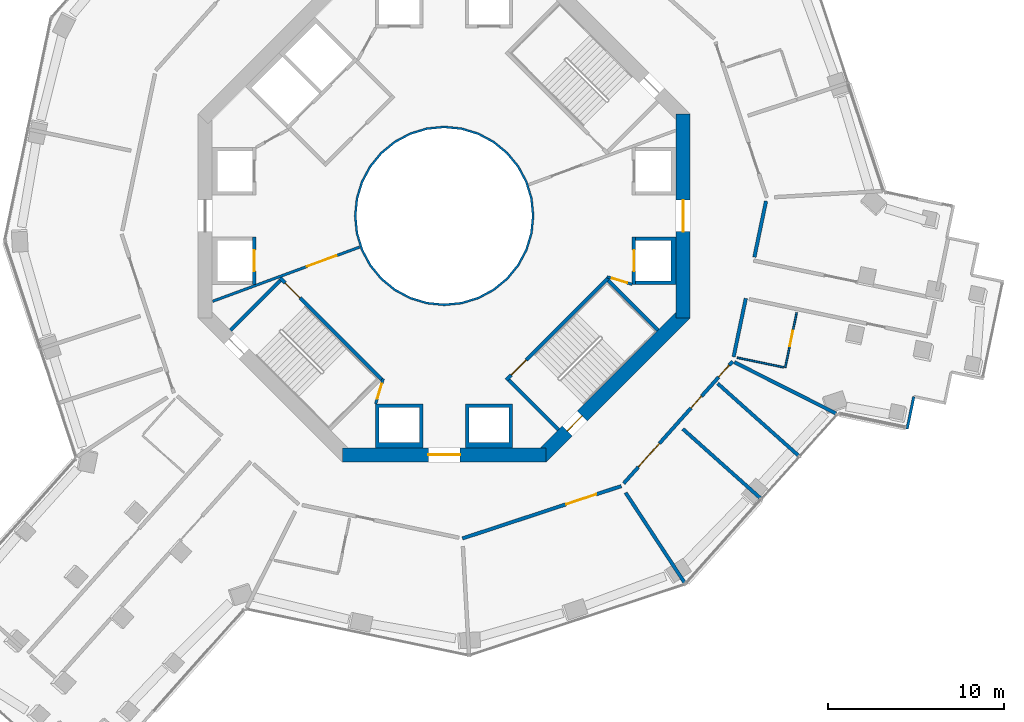
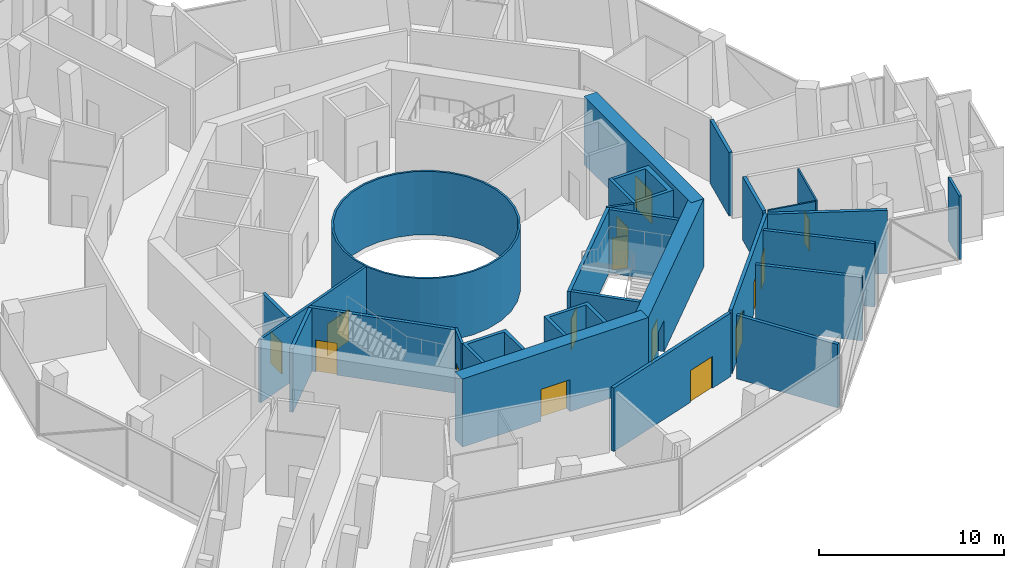
# One storey, part 15 of 21: 28 walls, 15 doors, 15 openings.
"""IFC4 building model written with IfcOpenShell, lengths in metres."""

from ifc_helpers import new_model, si_unit, direction, frame, frame_2d, origin, place, context, subcontext, project, spatial, polyline, rectangle, outline, extrude, material, layer, layer_set, type_object, element, fill, save


model = new_model("IFC4")

# Units and contexts
model_context = context("Model", 3, precision=1e-05, world=origin(), true_north=direction((0.0, 1.0)))
body_context = subcontext(model_context, "Body", "Model", "MODEL_VIEW")
ifc_project = project(units=[si_unit("LENGTHUNIT", "METRE"), si_unit("AREAUNIT", "SQUARE_METRE"), si_unit("VOLUMEUNIT", "CUBIC_METRE"), si_unit("PLANEANGLEUNIT", "RADIAN"), si_unit("MASSUNIT", "GRAM", prefix="KILO")], contexts=[model_context])

# Site, building, storey
site_placement = place(None, origin())
site = spatial("IfcSite", under=ifc_project, at=site_placement, CompositionType="ELEMENT")
building_placement = place(site_placement, origin())
building = spatial("IfcBuilding", under=site, at=building_placement, Name="Verdalira Terraces Hotel", CompositionType="ELEMENT")
storey_placement = place(building_placement, frame((0.0, 0.0, 107.0)))
storey = spatial("IfcBuildingStorey", under=building, at=storey_placement, Name="L25", CompositionType="ELEMENT", Elevation=107.0)

# Walls
ifc_material_1 = material(Name="Fire-resisting glass EI 180", Category="glass")
ifc_layer_1 = layer(ifc_material_1, 0.1201171875)
ifc_layer_set_1 = layer_set([ifc_layer_1], Name="Atrium fire screen 120 mm")
wall_type_1 = type_object("IfcWallType", Name="Atrium fire screen 120 mm", PredefinedType="SOLIDWALL", material=ifc_layer_set_1)
wall_1_placement = place(storey_placement, origin())
element("IfcWall", 1, at=wall_1_placement, inside=storey, type_object=wall_type_1, Name="Atrium fire screen", PredefinedType="SOLIDWALL", context=body_context, shape_type="SweptSolid", body=[
    extrude(outline(polyline([(5.021484, -0.998779), (4.730225, -1.959229), (4.25708, -2.844482), (3.620361, -3.620361), (2.844482, -4.25708), (1.959229, -4.730225), (0.998779, -5.021484), (0.0, -5.120117), (-0.998779, -5.021484), (-1.959229, -4.730225), (-2.844482, -4.25708), (-3.620361, -3.620361), (-4.25708, -2.844482), (-4.730225, -1.959229), (-5.021484, -0.998779), (-5.120117, 0.0), (-5.021484, 0.998779), (-4.730225, 1.959229), (-4.25708, 2.844482), (-3.620361, 3.620361), (-2.844482, 4.25708), (-1.959229, 4.730225), (-0.998779, 5.021484), (0.0, 5.120117), (0.998779, 5.021484), (1.959229, 4.730225), (2.844482, 4.25708), (3.620361, 3.620361), (4.25708, 2.844482), (4.730225, 1.959229), (5.021484, 0.998779), (5.120117, 0.0), (5.021484, -0.998779)]), holes=[polyline([(4.903809, 0.975586), (4.619385, 1.91333), (4.157227, 2.777832), (3.5354, 3.5354), (2.777832, 4.157227), (1.91333, 4.619385), (0.975586, 4.903809), (0.0, 5.0), (-0.975586, 4.903809), (-1.91333, 4.619385), (-2.777832, 4.157227), (-3.5354, 3.5354), (-4.157227, 2.777832), (-4.619385, 1.91333), (-4.903809, 0.975586), (-5.0, 0.0), (-4.903809, -0.975586), (-4.619385, -1.91333), (-4.157227, -2.777832), (-3.5354, -3.5354), (-2.777832, -4.157227), (-1.91333, -4.619385), (-0.975586, -4.903809), (0.0, -5.0), (0.975586, -4.903809), (1.91333, -4.619385), (2.777832, -4.157227), (3.5354, -3.5354), (4.157227, -2.777832), (4.619385, -1.91333), (4.903809, -0.975586), (5.0, 0.0), (4.903809, 0.975586)])]), origin(), (0.0, 0.0, 1.0), 4.189941),
])
ifc_material_2 = material(Name="Moisture-resistant gypsum board partition")
ifc_layer_2 = layer(ifc_material_2, 0.10009765625)
ifc_layer_set_2 = layer_set([ifc_layer_2], Name="Bathroom partition 100 mm")
wall_type_2 = type_object("IfcWallType", Name="Bathroom partition 100 mm", PredefinedType="PARTITIONING", material=ifc_layer_set_2)
wall_2_placement = place(storey_placement, frame((19.307617, -8.615967, 0.0), z_axis=(0.0, 0.0, 1.0), x_axis=(-0.979009748, 0.203813427, 0.0)))
element("IfcWall", 2, at=wall_2_placement, inside=storey, type_object=wall_type_2, Name="Bathroom partition", PredefinedType="PARTITIONING", context=body_context, shape_type="SweptSolid", body=[
    extrude(rectangle(XDim=2.699951, YDim=0.100098, at=frame_2d((1.350098, 0.0))), origin(), (0.0, 0.0, 1.0), 4.189941),
])

# Wall, opening, door
wall_3_placement = place(storey_placement, frame((19.405518, -8.636475, 0.0), z_axis=(0.0, 0.0, 1.0), x_axis=(0.203768415, 0.979019118, 0.0)))
wall_3 = element("IfcWall", 3, at=wall_3_placement, inside=storey, type_object=wall_type_2, Name="Bathroom partition", PredefinedType="PARTITIONING", context=body_context, shape_type="SweptSolid", body=[
    extrude(rectangle(XDim=3.200195, YDim=0.100098, at=frame_2d((1.600098, 0.0))), origin(), (0.0, 0.0, 1.0), 4.189941),
])
opening_1_placement = place(wall_3_placement, frame((1.25, 0.0, 0.0)))
opening_1 = element("IfcOpeningElement", 4, at=opening_1_placement, cuts=wall_3, Name="Opening L25-115", PredefinedType="OPENING", context=body_context, shape_type="SweptSolid", body=[
    extrude(rectangle(XDim=0.899902, YDim=2.100098, at=frame_2d((0.449951, 1.050049))), frame((0.0, 0.060059, 0.0), z_axis=(0.0, -1.0, 0.0), x_axis=(1.0, 0.0, 0.0)), (0.0, 0.0, 1.0), 0.120117),
])
ifc_material_3 = material(Name="Timber door", Category="wood")
door_type_1 = type_object("IfcDoorType", Name="Bathroom door 900 x 2100", OperationType="NOTDEFINED", PredefinedType="DOOR", material=ifc_material_3)
door_1_placement = place(opening_1_placement, origin())
door_1 = element("IfcDoor", 5, at=door_1_placement, inside=storey, type_object=door_type_1, Name="Bathroom door 2510", OperationType="SINGLE_SWING_LEFT", OverallHeight=2.10009765625, OverallWidth=0.89990234375, PredefinedType="DOOR", context=body_context, shape_type="SweptSolid", body=[
    extrude(rectangle(XDim=0.899902, YDim=2.100098, at=frame_2d((0.449951, 1.050049))), frame((0.0, 0.024902, 0.0), z_axis=(0.0, -1.0, 0.0), x_axis=(1.0, 0.0, 0.0)), (0.0, 0.0, 1.0), 0.050049),
])
fill(opening_1, door_1)

# Wall
ifc_material_4 = material(Name="Concrete C50", Category="concrete")
ifc_layer_3 = layer(ifc_material_4, 0.199951171875)
ifc_layer_set_3 = layer_set([ifc_layer_3], Name="Core RC wall 200 C50")
wall_type_3 = type_object("IfcWallType", Name="Core RC wall 200 C50", PredefinedType="SOLIDWALL", material=ifc_layer_set_3)
wall_4_placement = place(storey_placement, origin())
element("IfcWall", 6, at=wall_4_placement, inside=storey, type_object=wall_type_3, Name="L25 shaft wall E1", PredefinedType="SOLIDWALL", context=body_context, shape_type="SweptSolid", body=[
    extrude(outline(polyline([(13.199951, -3.899902), (10.899902, -3.899902), (10.899902, -3.699951), (12.899902, -3.699951), (12.899902, -1.399902), (10.899902, -1.399902), (10.899902, -1.199951), (13.199951, -1.199951), (13.199951, -3.899902)])), origin(), (0.0, 0.0, 1.0), 4.189941),
])

# Wall, opening, door
wall_5_placement = place(storey_placement, frame((10.800049, -1.199951, 0.0), z_axis=(0.0, 0.0, 1.0), x_axis=(0.0, -1.0, 0.0)))
wall_5 = element("IfcWall", 7, at=wall_5_placement, inside=storey, type_object=wall_type_3, Name="L25 shaft front wall E1", PredefinedType="SOLIDWALL", context=body_context, shape_type="SweptSolid", body=[
    extrude(rectangle(XDim=2.699951, YDim=0.199951, at=frame_2d((1.350098, 0.0))), origin(), (0.0, 0.0, 1.0), 4.189941),
])
opening_2_placement = place(wall_5_placement, frame((0.75, 0.0, 0.0)))
opening_2 = element("IfcOpeningElement", 8, at=opening_2_placement, cuts=wall_5, Name="Opening LD-L25-801", PredefinedType="OPENING", context=body_context, shape_type="SweptSolid", body=[
    extrude(rectangle(XDim=1.199951, YDim=2.100098, at=frame_2d((0.600098, 1.050049))), frame((0.0, 0.109863, 0.0), z_axis=(0.0, -1.0, 0.0), x_axis=(1.0, 0.0, 0.0)), (0.0, 0.0, 1.0), 0.219971),
])
ifc_material_5 = material(Name="Stainless steel", Category="steel")
door_type_2 = type_object("IfcDoorType", Name="Landing door 1200 x 2100", OperationType="NOTDEFINED", PredefinedType="DOOR", material=ifc_material_5)
door_2_placement = place(opening_2_placement, origin())
door_2 = element("IfcDoor", 9, at=door_2_placement, inside=storey, type_object=door_type_2, Name="Lift landing door LR1 L25", OperationType="DOUBLE_DOOR_SLIDING", OverallHeight=2.10009765625, OverallWidth=1.199951171875, PredefinedType="DOOR", context=body_context, shape_type="SweptSolid", body=[
    extrude(rectangle(XDim=1.199951, YDim=2.100098, at=frame_2d((0.600098, 1.050049))), frame((0.0, 0.024902, 0.0), z_axis=(0.0, -1.0, 0.0), x_axis=(1.0, 0.0, 0.0)), (0.0, 0.0, 1.0), 0.050049),
])
fill(opening_2, door_2)

wall_6_placement = place(storey_placement, frame((-10.800049, -1.199951, 0.0), z_axis=(0.0, 0.0, 1.0), x_axis=(0.0, -1.0, 0.0)))
wall_6 = element("IfcWall", 10, at=wall_6_placement, inside=storey, type_object=wall_type_3, Name="L25 shaft front wall W2", PredefinedType="SOLIDWALL", context=body_context, shape_type="SweptSolid", body=[
    extrude(rectangle(XDim=2.699951, YDim=0.199951, at=frame_2d((1.350098, 0.0))), origin(), (0.0, 0.0, 1.0), 4.189941),
])
opening_3_placement = place(wall_6_placement, frame((0.75, 0.0, 0.0)))
opening_3 = element("IfcOpeningElement", 11, at=opening_3_placement, cuts=wall_6, Name="Opening LD-L25-806", PredefinedType="OPENING", context=body_context, shape_type="SweptSolid", body=[
    extrude(rectangle(XDim=1.199951, YDim=2.100098, at=frame_2d((0.600098, 1.050049))), frame((0.0, 0.109863, 0.0), z_axis=(0.0, -1.0, 0.0), x_axis=(1.0, 0.0, 0.0)), (0.0, 0.0, 1.0), 0.219971),
])
door_3_placement = place(opening_3_placement, origin())
door_3 = element("IfcDoor", 12, at=door_3_placement, inside=storey, type_object=door_type_2, Name="Lift landing door LR6 L25", OperationType="DOUBLE_DOOR_SLIDING", OverallHeight=2.10009765625, OverallWidth=1.199951171875, PredefinedType="DOOR", context=body_context, shape_type="SweptSolid", body=[
    extrude(rectangle(XDim=1.199951, YDim=2.100098, at=frame_2d((0.600098, 1.050049))), frame((0.0, 0.024902, 0.0), z_axis=(0.0, -1.0, 0.0), x_axis=(1.0, 0.0, 0.0)), (0.0, 0.0, 1.0), 0.050049),
])
fill(opening_3, door_3)

# Walls
wall_7_placement = place(storey_placement, origin())
element("IfcWall", 13, at=wall_7_placement, inside=storey, type_object=wall_type_3, Name="L25 shaft wall S1", PredefinedType="SOLIDWALL", context=body_context, shape_type="SweptSolid", body=[
    extrude(outline(polyline([(-1.199951, -13.199951), (-3.899902, -13.199951), (-3.899902, -10.699951), (-1.199951, -10.699951), (-1.199951, -13.199951)]), holes=[polyline([(-3.699951, -10.899902), (-3.699951, -12.899902), (-1.399902, -12.899902), (-1.399902, -10.899902), (-3.699951, -10.899902)])]), origin(), (0.0, 0.0, 1.0), 4.189941),
])
wall_8_placement = place(storey_placement, origin())
element("IfcWall", 14, at=wall_8_placement, inside=storey, type_object=wall_type_3, Name="L25 shaft wall S2", PredefinedType="SOLIDWALL", context=body_context, shape_type="SweptSolid", body=[
    extrude(outline(polyline([(3.899902, -10.699951), (3.899902, -13.199951), (1.199951, -13.199951), (1.199951, -10.699951), (3.899902, -10.699951)]), holes=[polyline([(1.399902, -12.899902), (3.699951, -12.899902), (3.699951, -10.899902), (1.399902, -10.899902), (1.399902, -12.899902)])]), origin(), (0.0, 0.0, 1.0), 4.189941),
])

# Wall, opening, door
wall_9_placement = place(storey_placement, frame((-3.5354, -9.33374, 0.0), z_axis=(0.0, 0.0, 1.0), x_axis=(-0.707106781, 0.707106781, 0.0)))
wall_9 = element("IfcWall", 15, at=wall_9_placement, inside=storey, type_object=wall_type_3, Name="L25 stair ST2 front wall", PredefinedType="SOLIDWALL", context=body_context, shape_type="SweptSolid", body=[
    extrude(rectangle(XDim=8.200195, YDim=0.199951, at=frame_2d((4.100098, 0.0))), origin(), (0.0, 0.0, 1.0), 4.189941),
])
opening_4_placement = place(wall_9_placement, frame((6.600098, 0.0, 0.0)))
opening_4 = element("IfcOpeningElement", 16, at=opening_4_placement, cuts=wall_9, Name="Opening L25-810", PredefinedType="OPENING", context=body_context, shape_type="SweptSolid", body=[
    extrude(rectangle(XDim=1.199951, YDim=2.100098, at=frame_2d((0.600098, 1.050049))), frame((0.0, 0.109863, 0.0), z_axis=(0.0, -1.0, 0.0), x_axis=(1.0, 0.0, 0.0)), (0.0, 0.0, 1.0), 0.219971),
])
ifc_material_6 = material(Name="Steel fire door", Category="steel")
door_type_3 = type_object("IfcDoorType", Name="Stair door 1200 x 2100", OperationType="NOTDEFINED", PredefinedType="DOOR", material=ifc_material_6)
door_4_placement = place(opening_4_placement, origin())
door_4 = element("IfcDoor", 17, at=door_4_placement, inside=storey, type_object=door_type_3, Name="Stair door ST2 L25", OperationType="SINGLE_SWING_RIGHT", OverallHeight=2.10009765625, OverallWidth=1.199951171875, PredefinedType="DOOR", context=body_context, shape_type="SweptSolid", body=[
    extrude(rectangle(XDim=1.199951, YDim=2.100098, at=frame_2d((0.600098, 1.050049))), frame((0.0, 0.024902, 0.0), z_axis=(0.0, -1.0, 0.0), x_axis=(1.0, 0.0, 0.0)), (0.0, 0.0, 1.0), 0.050049),
])
fill(opening_4, door_4)

# Wall
wall_10_placement = place(storey_placement, frame((-9.33374, -3.677002, 0.0), z_axis=(0.0, 0.0, 1.0), x_axis=(-0.707106781, -0.707106781, 0.0)))
element("IfcWall", 18, at=wall_10_placement, inside=storey, type_object=wall_type_3, Name="L25 stair ST2 end wall 1", PredefinedType="SOLIDWALL", context=body_context, shape_type="SweptSolid", body=[
    extrude(rectangle(XDim=4.0, YDim=0.199951, at=frame_2d((2.0, 0.0))), origin(), (0.0, 0.0, 1.0), 4.189941),
])

# Wall, opening, door
wall_11_placement = place(storey_placement, frame((9.33374, -3.5354, 0.0), z_axis=(0.0, 0.0, 1.0), x_axis=(-0.707106781, -0.707106781, 0.0)))
wall_11 = element("IfcWall", 19, at=wall_11_placement, inside=storey, type_object=wall_type_3, Name="L25 stair ST3 front wall", PredefinedType="SOLIDWALL", context=body_context, shape_type="SweptSolid", body=[
    extrude(rectangle(XDim=8.200195, YDim=0.199951, at=frame_2d((4.100098, 0.0))), origin(), (0.0, 0.0, 1.0), 4.189941),
])
opening_5_placement = place(wall_11_placement, frame((6.600098, 0.0, 0.0)))
opening_5 = element("IfcOpeningElement", 20, at=opening_5_placement, cuts=wall_11, Name="Opening L25-811", PredefinedType="OPENING", context=body_context, shape_type="SweptSolid", body=[
    extrude(rectangle(XDim=1.199951, YDim=2.100098, at=frame_2d((0.600098, 1.050049))), frame((0.0, 0.109863, 0.0), z_axis=(0.0, -1.0, 0.0), x_axis=(1.0, 0.0, 0.0)), (0.0, 0.0, 1.0), 0.219971),
])
door_5_placement = place(opening_5_placement, origin())
door_5 = element("IfcDoor", 21, at=door_5_placement, inside=storey, type_object=door_type_3, Name="Stair door ST3 L25", OperationType="SINGLE_SWING_RIGHT", OverallHeight=2.10009765625, OverallWidth=1.199951171875, PredefinedType="DOOR", context=body_context, shape_type="SweptSolid", body=[
    extrude(rectangle(XDim=1.199951, YDim=2.100098, at=frame_2d((0.600098, 1.050049))), frame((0.0, 0.024902, 0.0), z_axis=(0.0, -1.0, 0.0), x_axis=(1.0, 0.0, 0.0)), (0.0, 0.0, 1.0), 0.050049),
])
fill(opening_5, door_5)

# Walls
for number, where, z_axis, x_axis, name in (
    (22, (3.677002, -9.33374, 0.0), (0.0, 0.0, 1.0), (0.707106781, -0.707106781, 0.0), "L25 stair ST3 end wall 1"),
    (23, (9.33374, -3.677002, 0.0), (0.0, 0.0, 1.0), (0.707106781, -0.707106781, 0.0), "L25 stair ST3 end wall 2"),
):
    element("IfcWall", number, at=place(storey_placement, frame(where, z_axis=z_axis, x_axis=x_axis)), inside=storey, type_object=wall_type_3, Name=name, PredefinedType="SOLIDWALL", context=body_context, shape_type="SweptSolid", body=[
        extrude(rectangle(XDim=4.0, YDim=0.199951, at=frame_2d((2.0, 0.0))), origin(), (0.0, 0.0, 1.0), 4.189941),
    ])

# Wall, opening, door
ifc_material_7 = material(Name="Gypsum board partition")
ifc_layer_4 = layer(ifc_material_7, 0.14990234375)
ifc_layer_set_4 = layer_set([ifc_layer_4], Name="Core partition 150 mm")
wall_type_4 = type_object("IfcWallType", Name="Core partition 150 mm", PredefinedType="PARTITIONING", material=ifc_layer_set_4)
wall_12_placement = place(storey_placement, frame((-3.464844, -9.263184, 0.0), z_axis=(0.0, 0.0, 1.0), x_axis=(-0.289808785, -0.957084567, 0.0)))
wall_12 = element("IfcWall", 24, at=wall_12_placement, inside=storey, type_object=wall_type_4, Name="Room partition L25", PredefinedType="PARTITIONING", context=body_context, shape_type="SweptSolid", body=[
    extrude(rectangle(XDim=1.501221, YDim=0.149902, at=frame_2d((0.750488, 0.0))), origin(), (0.0, 0.0, 1.0), 4.189941),
])
opening_6_placement = place(wall_12_placement, frame((0.300781, 0.0, 0.0)))
opening_6 = element("IfcOpeningElement", 25, at=opening_6_placement, cuts=wall_12, Name="Opening L25-822", PredefinedType="OPENING", context=body_context, shape_type="SweptSolid", body=[
    extrude(rectangle(XDim=0.899902, YDim=2.100098, at=frame_2d((0.449951, 1.050049))), frame((0.0, 0.084961, 0.0), z_axis=(0.0, -1.0, 0.0), x_axis=(1.0, 0.0, 0.0)), (0.0, 0.0, 1.0), 0.169922),
])
ifc_material_8 = material(Name="Steel fire door", Category="steel")
door_type_4 = type_object("IfcDoorType", Name="Core room door 900 x 2100", OperationType="NOTDEFINED", PredefinedType="DOOR", material=ifc_material_8)
door_6_placement = place(opening_6_placement, origin())
door_6 = element("IfcDoor", 26, at=door_6_placement, inside=storey, type_object=door_type_4, Name="Door L25 room5", OperationType="SINGLE_SWING_LEFT", OverallHeight=2.10009765625, OverallWidth=0.89990234375, PredefinedType="DOOR", context=body_context, shape_type="SweptSolid", body=[
    extrude(rectangle(XDim=0.899902, YDim=2.100098, at=frame_2d((0.449951, 1.050049))), frame((0.0, 0.024902, 0.0), z_axis=(0.0, -1.0, 0.0), x_axis=(1.0, 0.0, 0.0)), (0.0, 0.0, 1.0), 0.050049),
])
fill(opening_6, door_6)

wall_13_placement = place(storey_placement, frame((9.263184, -3.464844, 0.0), z_axis=(0.0, 0.0, 1.0), x_axis=(0.957084567, -0.289808785, 0.0)))
wall_13 = element("IfcWall", 27, at=wall_13_placement, inside=storey, type_object=wall_type_4, Name="Room partition L25", PredefinedType="PARTITIONING", context=body_context, shape_type="SweptSolid", body=[
    extrude(rectangle(XDim=1.501221, YDim=0.149902, at=frame_2d((0.750488, 0.0))), origin(), (0.0, 0.0, 1.0), 4.189941),
])
opening_7_placement = place(wall_13_placement, frame((0.300781, 0.0, 0.0)))
opening_7 = element("IfcOpeningElement", 28, at=opening_7_placement, cuts=wall_13, Name="Opening L25-823", PredefinedType="OPENING", context=body_context, shape_type="SweptSolid", body=[
    extrude(rectangle(XDim=0.899902, YDim=2.100098, at=frame_2d((0.449951, 1.050049))), frame((0.0, 0.084961, 0.0), z_axis=(0.0, -1.0, 0.0), x_axis=(1.0, 0.0, 0.0)), (0.0, 0.0, 1.0), 0.169922),
])
door_7_placement = place(opening_7_placement, origin())
door_7 = element("IfcDoor", 29, at=door_7_placement, inside=storey, type_object=door_type_4, Name="Door L25 room7", OperationType="SINGLE_SWING_LEFT", OverallHeight=2.10009765625, OverallWidth=0.89990234375, PredefinedType="DOOR", context=body_context, shape_type="SweptSolid", body=[
    extrude(rectangle(XDim=0.899902, YDim=2.100098, at=frame_2d((0.449951, 1.050049))), frame((0.0, 0.024902, 0.0), z_axis=(0.0, -1.0, 0.0), x_axis=(1.0, 0.0, 0.0)), (0.0, 0.0, 1.0), 0.050049),
])
fill(opening_7, door_7)

wall_14_placement = place(storey_placement, frame((-4.812988, -1.775635, 0.0), z_axis=(0.0, 0.0, 1.0), x_axis=(-0.938191915, -0.346115488, 0.0)))
wall_14 = element("IfcWall", 30, at=wall_14_placement, inside=storey, type_object=wall_type_4, Name="Gallery fire partition L25", PredefinedType="PARTITIONING", context=body_context, shape_type="SweptSolid", body=[
    extrude(rectangle(XDim=8.909668, YDim=0.149902, at=frame_2d((4.454834, 0.0))), origin(), (0.0, 0.0, 1.0), 4.189941),
])
opening_8_placement = place(wall_14_placement, frame((1.399902, 0.0, 0.0)))
opening_8 = element("IfcOpeningElement", 31, at=opening_8_placement, cuts=wall_14, Name="Opening L25-825", PredefinedType="OPENING", context=body_context, shape_type="SweptSolid", body=[
    extrude(rectangle(XDim=1.800049, YDim=2.100098, at=frame_2d((0.899902, 1.050049))), frame((0.0, 0.084961, 0.0), z_axis=(0.0, -1.0, 0.0), x_axis=(1.0, 0.0, 0.0)), (0.0, 0.0, 1.0), 0.169922),
])
ifc_material_9 = material(Name="Steel fire door", Category="steel")
door_type_5 = type_object("IfcDoorType", Name="Gallery fire door pair 1800 x 2100", OperationType="NOTDEFINED", PredefinedType="DOOR", material=ifc_material_9)
door_8_placement = place(opening_8_placement, origin())
door_8 = element("IfcDoor", 32, at=door_8_placement, inside=storey, type_object=door_type_5, Name="Door L25 split4", OperationType="DOUBLE_DOOR_SINGLE_SWING", OverallHeight=2.10009765625, OverallWidth=1.800048828125, PredefinedType="DOOR", context=body_context, shape_type="SweptSolid", body=[
    extrude(rectangle(XDim=1.800049, YDim=2.100098, at=frame_2d((0.899902, 1.050049))), frame((0.0, 0.024902, 0.0), z_axis=(0.0, -1.0, 0.0), x_axis=(1.0, 0.0, 0.0)), (0.0, 0.0, 1.0), 0.050049),
])
fill(opening_8, door_8)

ifc_material_10 = material(Name="Concrete C70", Category="concrete")
ifc_layer_5 = layer(ifc_material_10, 0.800048828125)
ifc_layer_set_5 = layer_set([ifc_layer_5], Name="Core wall 800 C70")
wall_type_5 = type_object("IfcWallType", Name="Core wall 800 C70", PredefinedType="SHEAR", material=ifc_layer_set_5)
wall_15_placement = place(storey_placement, frame((13.600098, -5.799072, 0.0), z_axis=(0.0, 0.0, 1.0), x_axis=(0.0, 1.0, 0.0)))
wall_15 = element("IfcWall", 33, at=wall_15_placement, inside=storey, type_object=wall_type_5, Name="Core wall CW-L25-1", PredefinedType="SHEAR", context=body_context, shape_type="SweptSolid", body=[
    extrude(rectangle(XDim=11.598145, YDim=0.800049, at=frame_2d((5.799072, 0.0))), origin(), (0.0, 0.0, 1.0), 4.5),
])
opening_9_placement = place(wall_15_placement, frame((4.898926, 0.0, 0.0)))
opening_9 = element("IfcOpeningElement", 34, at=opening_9_placement, cuts=wall_15, Name="Opening L25-812", PredefinedType="OPENING", context=body_context, shape_type="SweptSolid", body=[
    extrude(rectangle(XDim=1.800049, YDim=2.100098, at=frame_2d((0.899902, 1.050049))), frame((0.0, 0.409912, 0.0), z_axis=(0.0, -1.0, 0.0), x_axis=(1.0, 0.0, 0.0)), (0.0, 0.0, 1.0), 0.820068),
])
ifc_material_11 = material(Name="Steel fire door", Category="steel")
door_type_6 = type_object("IfcDoorType", Name="Core entry door pair 1800 x 2100", OperationType="NOTDEFINED", PredefinedType="DOOR", material=ifc_material_11)
door_9_placement = place(opening_9_placement, origin())
door_9 = element("IfcDoor", 35, at=door_9_placement, inside=storey, type_object=door_type_6, Name="Core entry door L25 0", OperationType="DOUBLE_DOOR_SINGLE_SWING", OverallHeight=2.10009765625, OverallWidth=1.800048828125, PredefinedType="DOOR", context=body_context, shape_type="SweptSolid", body=[
    extrude(rectangle(XDim=1.800049, YDim=2.100098, at=frame_2d((0.899902, 1.050049))), frame((0.0, 0.024902, 0.0), z_axis=(0.0, -1.0, 0.0), x_axis=(1.0, 0.0, 0.0)), (0.0, 0.0, 1.0), 0.050049),
])
fill(opening_9, door_9)

wall_16_placement = place(storey_placement, frame((-5.799072, -13.600098, 0.0), z_axis=(0.0, 0.0, 1.0), x_axis=(1.0, 0.0, 0.0)))
wall_16 = element("IfcWall", 36, at=wall_16_placement, inside=storey, type_object=wall_type_5, Name="Core wall CW-L25-7", PredefinedType="SHEAR", context=body_context, shape_type="SweptSolid", body=[
    extrude(rectangle(XDim=11.598145, YDim=0.800049, at=frame_2d((5.799072, 0.0))), origin(), (0.0, 0.0, 1.0), 4.5),
])
opening_10_placement = place(wall_16_placement, frame((4.898926, 0.0, 0.0)))
opening_10 = element("IfcOpeningElement", 37, at=opening_10_placement, cuts=wall_16, Name="Opening L25-815", PredefinedType="OPENING", context=body_context, shape_type="SweptSolid", body=[
    extrude(rectangle(XDim=1.800049, YDim=2.100098, at=frame_2d((0.899902, 1.050049))), frame((0.0, 0.409912, 0.0), z_axis=(0.0, -1.0, 0.0), x_axis=(1.0, 0.0, 0.0)), (0.0, 0.0, 1.0), 0.820068),
])
door_10_placement = place(opening_10_placement, origin())
door_10 = element("IfcDoor", 38, at=door_10_placement, inside=storey, type_object=door_type_6, Name="Core entry door L25 6", OperationType="DOUBLE_DOOR_SINGLE_SWING", OverallHeight=2.10009765625, OverallWidth=1.800048828125, PredefinedType="DOOR", context=body_context, shape_type="SweptSolid", body=[
    extrude(rectangle(XDim=1.800049, YDim=2.100098, at=frame_2d((0.899902, 1.050049))), frame((0.0, 0.024902, 0.0), z_axis=(0.0, -1.0, 0.0), x_axis=(1.0, 0.0, 0.0)), (0.0, 0.0, 1.0), 0.050049),
])
fill(opening_10, door_10)

wall_17_placement = place(storey_placement, frame((5.516113, -13.717285, 0.0), z_axis=(0.0, 0.0, 1.0), x_axis=(0.707106781, 0.707106781, 0.0)))
wall_17 = element("IfcWall", 39, at=wall_17_placement, inside=storey, type_object=wall_type_5, Name="Core wall CW-L25-8", PredefinedType="SHEAR", context=body_context, shape_type="SweptSolid", body=[
    extrude(rectangle(XDim=11.598145, YDim=0.800049, at=frame_2d((5.799072, 0.0))), origin(), (0.0, 0.0, 1.0), 4.5),
])
opening_11_placement = place(wall_17_placement, frame((2.099121, 0.0, 0.0)))
opening_11 = element("IfcOpeningElement", 40, at=opening_11_placement, cuts=wall_17, Name="Opening L25-818", PredefinedType="OPENING", context=body_context, shape_type="SweptSolid", body=[
    extrude(rectangle(XDim=1.199951, YDim=2.100098, at=frame_2d((0.600098, 1.050049))), frame((0.0, 0.409912, 0.0), z_axis=(0.0, -1.0, 0.0), x_axis=(1.0, 0.0, 0.0)), (0.0, 0.0, 1.0), 0.820068),
])
door_11_placement = place(opening_11_placement, origin())
door_11 = element("IfcDoor", 41, at=door_11_placement, inside=storey, type_object=door_type_3, Name="Stair exit door ST3 L25", OperationType="SINGLE_SWING_LEFT", OverallHeight=2.10009765625, OverallWidth=1.199951171875, PredefinedType="DOOR", context=body_context, shape_type="SweptSolid", body=[
    extrude(rectangle(XDim=1.199951, YDim=2.100098, at=frame_2d((0.600098, 1.050049))), frame((0.0, 0.024902, 0.0), z_axis=(0.0, -1.0, 0.0), x_axis=(1.0, 0.0, 0.0)), (0.0, 0.0, 1.0), 0.050049),
])
fill(opening_11, door_11)

# Wall
ifc_material_12 = material(Name="Fire-rated gypsum board wall")
ifc_layer_6 = layer(ifc_material_12, 0.199951171875)
ifc_layer_set_6 = layer_set([ifc_layer_6], Name="Demising wall 200 mm")
wall_type_6 = type_object("IfcWallType", Name="Demising wall 200 mm", PredefinedType="SOLIDWALL", material=ifc_layer_set_6)
wall_18_placement = place(storey_placement, frame((10.322754, -15.750732, 0.0), z_axis=(0.0, 0.0, 1.0), x_axis=(0.54815977, -0.836373641, 0.0)))
element("IfcWall", 42, at=wall_18_placement, inside=storey, type_object=wall_type_6, Name="Demising wall", PredefinedType="SOLIDWALL", context=body_context, shape_type="SweptSolid", body=[
    extrude(rectangle(XDim=6.13208, YDim=0.199951, at=frame_2d((3.065918, 0.0))), origin(), (0.0, 0.0, 1.0), 4.189941),
])

# Wall, opening, door
ifc_material_13 = material(Name="Fire-rated gypsum board wall")
ifc_layer_7 = layer(ifc_material_13, 0.199951171875)
ifc_layer_set_7 = layer_set([ifc_layer_7], Name="Guest corridor wall 200 mm")
wall_type_7 = type_object("IfcWallType", Name="Guest corridor wall 200 mm", PredefinedType="SOLIDWALL", material=ifc_layer_set_7)
wall_19_placement = place(storey_placement, frame((10.077393, -15.376709, 0.0), z_axis=(0.0, 0.0, 1.0), x_axis=(-0.949750196, -0.313008891, 0.0)))
wall_19 = element("IfcWall", 43, at=wall_19_placement, inside=storey, type_object=wall_type_7, Name="Guest corridor wall", PredefinedType="SOLIDWALL", context=body_context, shape_type="SweptSolid", body=[
    extrude(rectangle(XDim=9.516602, YDim=0.199951, at=frame_2d((4.758301, 0.0))), origin(), (0.0, 0.0, 1.0), 4.189941),
])
opening_12_placement = place(wall_19_placement, frame((1.5, 0.0, 0.0)))
opening_12 = element("IfcOpeningElement", 44, at=opening_12_placement, cuts=wall_19, Name="Opening L25-112", PredefinedType="OPENING", context=body_context, shape_type="SweptSolid", body=[
    extrude(rectangle(XDim=1.800049, YDim=2.100098, at=frame_2d((0.899902, 1.050049))), frame((0.0, 0.109863, 0.0), z_axis=(0.0, -1.0, 0.0), x_axis=(1.0, 0.0, 0.0)), (0.0, 0.0, 1.0), 0.219971),
])
ifc_material_14 = material(Name="Timber fire door", Category="wood")
door_type_7 = type_object("IfcDoorType", Name="Public room double door 1800 x 2100", OperationType="NOTDEFINED", PredefinedType="DOOR", material=ifc_material_14)
door_12_placement = place(opening_12_placement, origin())
door_12 = element("IfcDoor", 45, at=door_12_placement, inside=storey, type_object=door_type_7, Name="Public room double door 2508", OperationType="DOUBLE_DOOR_SINGLE_SWING", OverallHeight=2.10009765625, OverallWidth=1.800048828125, PredefinedType="DOOR", context=body_context, shape_type="SweptSolid", body=[
    extrude(rectangle(XDim=1.800049, YDim=2.100098, at=frame_2d((0.899902, 1.050049))), frame((0.0, 0.024902, 0.0), z_axis=(0.0, -1.0, 0.0), x_axis=(1.0, 0.0, 0.0)), (0.0, 0.0, 1.0), 0.050049),
])
fill(opening_12, door_12)

# Wall, openings, doors
wall_20_placement = place(storey_placement, frame((16.415771, -8.277832, 0.0), z_axis=(0.0, 0.0, 1.0), x_axis=(-0.666014728, -0.745938592, 0.0)))
wall_20 = element("IfcWall", 46, at=wall_20_placement, inside=storey, type_object=wall_type_7, Name="Guest corridor wall", PredefinedType="SOLIDWALL", context=body_context, shape_type="SweptSolid", body=[
    extrude(rectangle(XDim=9.31665, YDim=0.199951, at=frame_2d((4.658203, 0.0))), origin(), (0.0, 0.0, 1.0), 4.189941),
])
opening_13_placement = place(wall_20_placement, frame((6.258301, 0.0, 0.0)))
opening_13 = element("IfcOpeningElement", 47, at=opening_13_placement, cuts=wall_20, Name="Opening L25-113", PredefinedType="OPENING", context=body_context, shape_type="SweptSolid", body=[
    extrude(rectangle(XDim=1.800049, YDim=2.100098, at=frame_2d((0.899902, 1.050049))), frame((0.0, 0.109863, 0.0), z_axis=(0.0, -1.0, 0.0), x_axis=(1.0, 0.0, 0.0)), (0.0, 0.0, 1.0), 0.219971),
])
opening_14_placement = place(wall_20_placement, frame((2.658203, 0.0, 0.0)))
opening_14 = element("IfcOpeningElement", 48, at=opening_14_placement, cuts=wall_20, Name="Opening L25-123", PredefinedType="OPENING", context=body_context, shape_type="SweptSolid", body=[
    extrude(rectangle(XDim=0.899902, YDim=2.100098, at=frame_2d((0.449951, 1.050049))), frame((0.0, 0.109863, 0.0), z_axis=(0.0, -1.0, 0.0), x_axis=(1.0, 0.0, 0.0)), (0.0, 0.0, 1.0), 0.219971),
])
opening_15_placement = place(wall_20_placement, frame((0.300049, 0.0, 0.0)))
opening_15 = element("IfcOpeningElement", 49, at=opening_15_placement, cuts=wall_20, Name="Opening L25-124", PredefinedType="OPENING", context=body_context, shape_type="SweptSolid", body=[
    extrude(rectangle(XDim=0.899902, YDim=2.100098, at=frame_2d((0.449951, 1.050049))), frame((0.0, 0.109863, 0.0), z_axis=(0.0, -1.0, 0.0), x_axis=(1.0, 0.0, 0.0)), (0.0, 0.0, 1.0), 0.219971),
])
door_13_placement = place(opening_13_placement, origin())
door_13 = element("IfcDoor", 50, at=door_13_placement, inside=storey, type_object=door_type_7, Name="Public room double door 2509", OperationType="DOUBLE_DOOR_SINGLE_SWING", OverallHeight=2.10009765625, OverallWidth=1.800048828125, PredefinedType="DOOR", context=body_context, shape_type="SweptSolid", body=[
    extrude(rectangle(XDim=1.800049, YDim=2.100098, at=frame_2d((0.899902, 1.050049))), frame((0.0, 0.024902, 0.0), z_axis=(0.0, -1.0, 0.0), x_axis=(1.0, 0.0, 0.0)), (0.0, 0.0, 1.0), 0.050049),
])
fill(opening_13, door_13)
ifc_material_15 = material(Name="Timber fire door", Category="wood")
door_type_8 = type_object("IfcDoorType", Name="Toilet door 900 x 2100", OperationType="NOTDEFINED", PredefinedType="DOOR", material=ifc_material_15)
door_14_placement = place(opening_14_placement, origin())
door_14 = element("IfcDoor", 51, at=door_14_placement, inside=storey, type_object=door_type_8, Name="Toilet door 2516", OperationType="SINGLE_SWING_LEFT", OverallHeight=2.10009765625, OverallWidth=0.89990234375, PredefinedType="DOOR", context=body_context, shape_type="SweptSolid", body=[
    extrude(rectangle(XDim=0.899902, YDim=2.100098, at=frame_2d((0.449951, 1.050049))), frame((0.0, 0.024902, 0.0), z_axis=(0.0, -1.0, 0.0), x_axis=(1.0, 0.0, 0.0)), (0.0, 0.0, 1.0), 0.050049),
])
fill(opening_14, door_14)
door_15_placement = place(opening_15_placement, origin())
door_15 = element("IfcDoor", 52, at=door_15_placement, inside=storey, type_object=door_type_8, Name="Toilet door 2517", OperationType="SINGLE_SWING_LEFT", OverallHeight=2.10009765625, OverallWidth=0.89990234375, PredefinedType="DOOR", context=body_context, shape_type="SweptSolid", body=[
    extrude(rectangle(XDim=0.899902, YDim=2.100098, at=frame_2d((0.449951, 1.050049))), frame((0.0, 0.024902, 0.0), z_axis=(0.0, -1.0, 0.0), x_axis=(1.0, 0.0, 0.0)), (0.0, 0.0, 1.0), 0.050049),
])
fill(opening_15, door_15)

# Walls
wall_21_placement = place(storey_placement, frame((16.468506, -8.024902, 0.0), z_axis=(0.0, 0.0, 1.0), x_axis=(0.203787936, 0.979015055, 0.0)))
element("IfcWall", 53, at=wall_21_placement, inside=storey, type_object=wall_type_7, Name="Guest corridor wall", PredefinedType="SOLIDWALL", context=body_context, shape_type="SweptSolid", body=[
    extrude(rectangle(XDim=3.399902, YDim=0.199951, at=frame_2d((1.699951, 0.0))), origin(), (0.0, 0.0, 1.0), 4.189941),
])
wall_22_placement = place(storey_placement, frame((17.650391, -2.34668, 0.0), z_axis=(0.0, 0.0, 1.0), x_axis=(0.203876459, 0.978996624, 0.0)))
element("IfcWall", 54, at=wall_22_placement, inside=storey, type_object=wall_type_7, Name="Guest corridor wall", PredefinedType="SOLIDWALL", context=body_context, shape_type="SweptSolid", body=[
    extrude(rectangle(XDim=3.258301, YDim=0.199951, at=frame_2d((1.62915, 0.0))), origin(), (0.0, 0.0, 1.0), 4.189941),
])
ifc_material_16 = material(Name="Fire-rated gypsum board wall")
ifc_layer_8 = layer(ifc_material_16, 0.199951171875)
ifc_layer_set_8 = layer_set([ifc_layer_8], Name="Service room wall 200 mm")
wall_type_8 = type_object("IfcWallType", Name="Service room wall 200 mm", PredefinedType="SOLIDWALL", material=ifc_layer_set_8)
wall_23_placement = place(storey_placement, frame((13.580322, -12.125, 0.0), z_axis=(0.0, 0.0, 1.0), x_axis=(0.745931057, -0.666023167, 0.0)))
element("IfcWall", 55, at=wall_23_placement, inside=storey, type_object=wall_type_8, Name="Service room wall", PredefinedType="SOLIDWALL", context=body_context, shape_type="SweptSolid", body=[
    extrude(rectangle(XDim=5.902832, YDim=0.199951, at=frame_2d((2.951416, 0.0))), origin(), (0.0, 0.0, 1.0), 4.189941),
])
wall_24_placement = place(storey_placement, frame((15.560303, -9.536133, 0.0), z_axis=(0.0, 0.0, 1.0), x_axis=(0.745951044, -0.666000781, 0.0)))
element("IfcWall", 56, at=wall_24_placement, inside=storey, type_object=wall_type_8, Name="Service room wall", PredefinedType="SOLIDWALL", context=body_context, shape_type="SweptSolid", body=[
    extrude(rectangle(XDim=6.150146, YDim=0.199951, at=frame_2d((3.075195, 0.0))), origin(), (0.0, 0.0, 1.0), 4.189941),
])
wall_25_placement = place(storey_placement, frame((16.508301, -8.324463, 0.0), z_axis=(0.0, 0.0, 1.0), x_axis=(0.89289126, -0.45027236, 0.0)))
element("IfcWall", 57, at=wall_25_placement, inside=storey, type_object=wall_type_8, Name="Service room wall", PredefinedType="SOLIDWALL", context=body_context, shape_type="SweptSolid", body=[
    extrude(rectangle(XDim=6.475586, YDim=0.199951, at=frame_2d((3.237793, 0.0))), origin(), (0.0, 0.0, 1.0), 4.189941),
])
ifc_material_17 = material(Name="Terracotta cladding", Category="masonry")
ifc_layer_9 = layer(ifc_material_17, 0.14990234375)
ifc_layer_set_9 = layer_set([ifc_layer_9], Name="Terracotta clad wall 150")
wall_type_9 = type_object("IfcWallType", Name="Terracotta clad wall 150", PredefinedType="SOLIDWALL", material=ifc_layer_set_9)
wall_26_placement = place(storey_placement, frame((26.340576, -12.123047, 0.0), z_axis=(0.0, 0.0, 1.0), x_axis=(0.203772266, 0.979018316, 0.0)))
element("IfcWall", 58, at=wall_26_placement, inside=storey, type_object=wall_type_9, Name="Terracotta cladding wall", PredefinedType="SOLIDWALL", context=body_context, shape_type="SweptSolid", body=[
    extrude(rectangle(XDim=1.875, YDim=0.149902, at=frame_2d((0.9375, 0.0))), origin(), (0.0, 0.0, 1.0), 4.189941),
])

save(model, "model.ifc")
